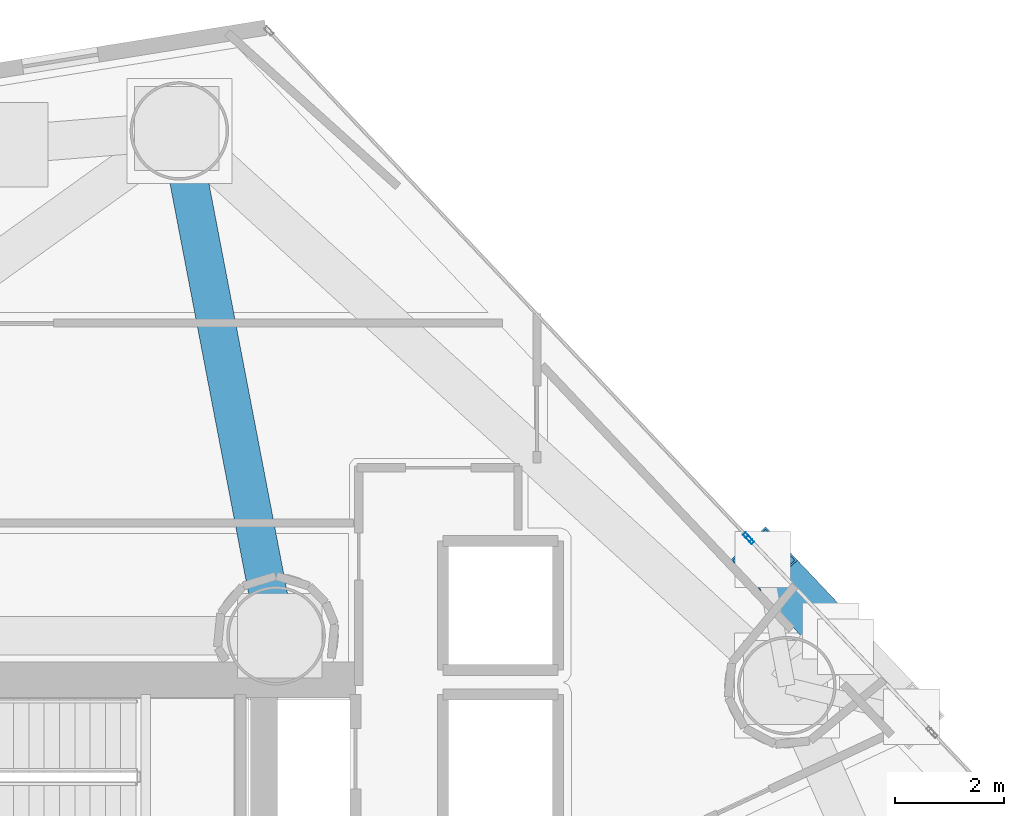
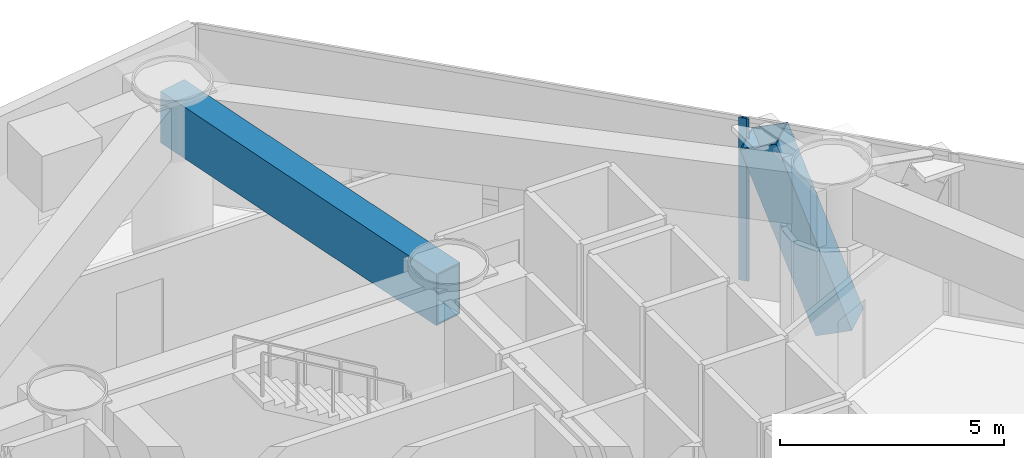
# One storey, part 10 of 22: 3 members, 1 beam, 2 elements without a shape of their own.
"""IFC4 building model written with IfcOpenShell, lengths in metres."""

from ifc_helpers import new_model, si_unit, direction, frame, origin, origin_2d, place, context, subcontext, project, spatial, hollow_rectangle, extrude, material, layer, layer_set, material_profile, profile_set, type_object, element, aggregate, save


model = new_model("IFC4")

# Units and contexts
model_context = context("Model", 3, precision=1e-05, world=origin(), true_north=direction((0.0, 1.0)))
body_context = subcontext(model_context, "Body", "Model", "MODEL_VIEW")
ifc_project = project(units=[si_unit("LENGTHUNIT", "METRE"), si_unit("AREAUNIT", "SQUARE_METRE"), si_unit("VOLUMEUNIT", "CUBIC_METRE"), si_unit("PLANEANGLEUNIT", "RADIAN"), si_unit("MASSUNIT", "GRAM", prefix="KILO")], contexts=[model_context])

# Site, building, storey
site_placement = place(None, origin())
site = spatial("IfcSite", under=ifc_project, at=site_placement, CompositionType="ELEMENT")
building_placement = place(site_placement, origin())
building = spatial("IfcBuilding", under=site, at=building_placement, Name="Qianvela Tower", CompositionType="ELEMENT")
storey_placement = place(building_placement, frame((0.0, 0.0, 47.89990234375)))
storey = spatial("IfcBuildingStorey", under=building, at=storey_placement, Name="L11", CompositionType="ELEMENT", Elevation=47.89990234375)

# Beam
ifc_material_1 = material(Name="Steel Q420GJC", Category="steel")
ifc_material_profile_1 = material_profile(ifc_material_1, hollow_rectangle(XDim=0.699951171875, YDim=1.39990234375, WallThickness=0.0400390625, at=origin_2d()), Name="TG-BOX-1400x700x40")
ifc_profile_set_1 = profile_set([ifc_material_profile_1], Name="Steel Q420GJC")
beam_type = type_object("IfcBeamType", Name="BM-TG-RAD-1400", PredefinedType="BEAM", material=ifc_profile_set_1)
beam_placement = place(storey_placement, frame((38.39990234375, 33.550048828125, 3.718017578125), z_axis=(-0.188149597911, 0.982140381415, 0.0), x_axis=(-0.982140381415, -0.188149597911, 0.0)))
element("IfcBeam", 1, at=beam_placement, inside=storey, type_object=beam_type, Name="L11 Radial Outrigger Top Transfer Girder 3", PredefinedType="BEAM", context=body_context, shape_type="SweptSolid", body=[
    extrude(hollow_rectangle(XDim=0.699951171875, YDim=1.39990234375, WallThickness=0.0400390625, at=origin_2d()), origin(), (0.0, 0.0, 1.0), 9.395751953125),
])

# Curtain wall, member
ifc_material_2 = material(Name="Anodised Architectural Aluminium and Insulated Spandrel Panel", Category="aluminium")
ifc_layer_1 = layer(ifc_material_2, 0.179931640625)
ifc_layer_set_1 = layer_set([ifc_layer_1], Name="Anodised Architectural Aluminium and Insulated Spandrel Panel")
curtain_wall_type_1 = type_object("IfcCurtainWallType", Name="CW-BRACEBAY", PredefinedType="USERDEFINED", material=ifc_layer_set_1)
curtain_wall_1_placement = place(storey_placement, origin())
curtain_wall_1 = element("IfcCurtainWall", 2, at=curtain_wall_1_placement, inside=storey, type_object=curtain_wall_type_1, Name="L11 CW-BRACEBAY Curtain Wall 02B", ObjectType="CURTAIN_WALL_SYSTEM", PredefinedType="USERDEFINED")
ifc_material_3 = material(Name="Anodised Architectural Aluminium 6063-T6", Category="aluminium")
ifc_material_profile_2 = material_profile(ifc_material_3, hollow_rectangle(XDim=0.06494140625, YDim=0.159912109375, WallThickness=0.0048828125, at=origin_2d()), Name="ALU-MULL-65x160")
ifc_profile_set_2 = profile_set([ifc_material_profile_2], Name="Anodised Architectural Aluminium 6063-T6")
member_type_1 = type_object("IfcMemberType", Name="CW-BRACEBAY-MULL", PredefinedType="MULLION", material=ifc_profile_set_2)
member_1_placement = place(storey_placement, frame((47.063232421875, 35.306884765625, 0.0), z_axis=(0.0, 0.0, 1.0), x_axis=(-0.726504433133, -0.687161777632, 0.0)))
member_1 = element("IfcMember", 3, at=member_1_placement, type_object=member_type_1, Name="CW-9 mullion 2", PredefinedType="MULLION", context=body_context, shape_type="SweptSolid", body=[
    extrude(hollow_rectangle(XDim=0.06494140625, YDim=0.159912109375, WallThickness=0.0048828125, at=origin_2d()), origin(), (0.0, 0.0, 1.0), 4.420166015625),
])
aggregate(curtain_wall_1, [member_1])

ifc_material_4 = material(Name="Anodised Architectural Aluminium and Low-E Glass", Category="aluminium")
ifc_layer_2 = layer(ifc_material_4, 0.179931640625)
ifc_layer_set_2 = layer_set([ifc_layer_2], Name="Anodised Architectural Aluminium and Low-E Glass")
curtain_wall_type_2 = type_object("IfcCurtainWallType", Name="CW-COLIV-Z12", PredefinedType="USERDEFINED", material=ifc_layer_set_2)
curtain_wall_2_placement = place(storey_placement, origin())
curtain_wall_2 = element("IfcCurtainWall", 4, at=curtain_wall_2_placement, inside=storey, type_object=curtain_wall_type_2, Name="L11 CW-COLIV-Z12 Curtain Wall 02C", ObjectType="CURTAIN_WALL_SYSTEM", PredefinedType="USERDEFINED")
ifc_material_5 = material(Name="Anodised Architectural Aluminium 6063-T6", Category="aluminium")
ifc_material_profile_3 = material_profile(ifc_material_5, hollow_rectangle(XDim=0.070068359375, YDim=0.179931640625, WallThickness=0.0048828125, at=origin_2d()), Name="ALU-MULL-70x180")
ifc_profile_set_3 = profile_set([ifc_material_profile_3], Name="Anodised Architectural Aluminium 6063-T6")
member_type_2 = type_object("IfcMemberType", Name="CW-COLIV-Z12-MULL", PredefinedType="MULLION", material=ifc_profile_set_3)
member_2_placement = place(storey_placement, frame((47.016845703125, 35.355712890625, 0.0), z_axis=(0.0, 0.0, 1.0), x_axis=(-0.726491710212, -0.687175228739, 0.0)))
member_2 = element("IfcMember", 5, at=member_2_placement, type_object=member_type_2, Name="CW-3 mullion 1", PredefinedType="MULLION", context=body_context, shape_type="SweptSolid", body=[
    extrude(hollow_rectangle(XDim=0.070068359375, YDim=0.179931640625, WallThickness=0.0048828125, at=origin_2d()), origin(), (0.0, 0.0, 1.0), 4.420166015625),
])
aggregate(curtain_wall_2, [member_2])

# Member
ifc_material_6 = material(Name="Steel Q420GJC", Category="steel")
ifc_material_profile_4 = material_profile(ifc_material_6, hollow_rectangle(XDim=0.89990234375, YDim=0.89990234375, WallThickness=0.035888671875, at=origin_2d()), Name="MBOX-900x900x36")
ifc_profile_set_4 = profile_set([ifc_material_profile_4], Name="Steel Q420GJC")
member_type_3 = type_object("IfcMemberType", Name="MBR-MBRACE-900", PredefinedType="BRACE", material=ifc_profile_set_4)
member_3_placement = place(storey_placement, frame((48.51904296875, 33.651123046875, -0.65185546875), z_axis=(-0.239669957008, 0.253388929062, 0.93720454669), x_axis=(-0.726500297052, -0.687166150493, 0.0)))
element("IfcMember", 6, at=member_3_placement, inside=storey, type_object=member_type_3, Name="L11 Tier 2 Exterior Mega-Brace F1B", PredefinedType="BRACE", context=body_context, shape_type="SweptSolid", body=[
    extrude(hollow_rectangle(XDim=0.89990234375, YDim=0.89990234375, WallThickness=0.035888671875, at=origin_2d()), origin(), (0.0, 0.0, 1.0), 5.0361328125),
])

save(model, "model.ifc")
